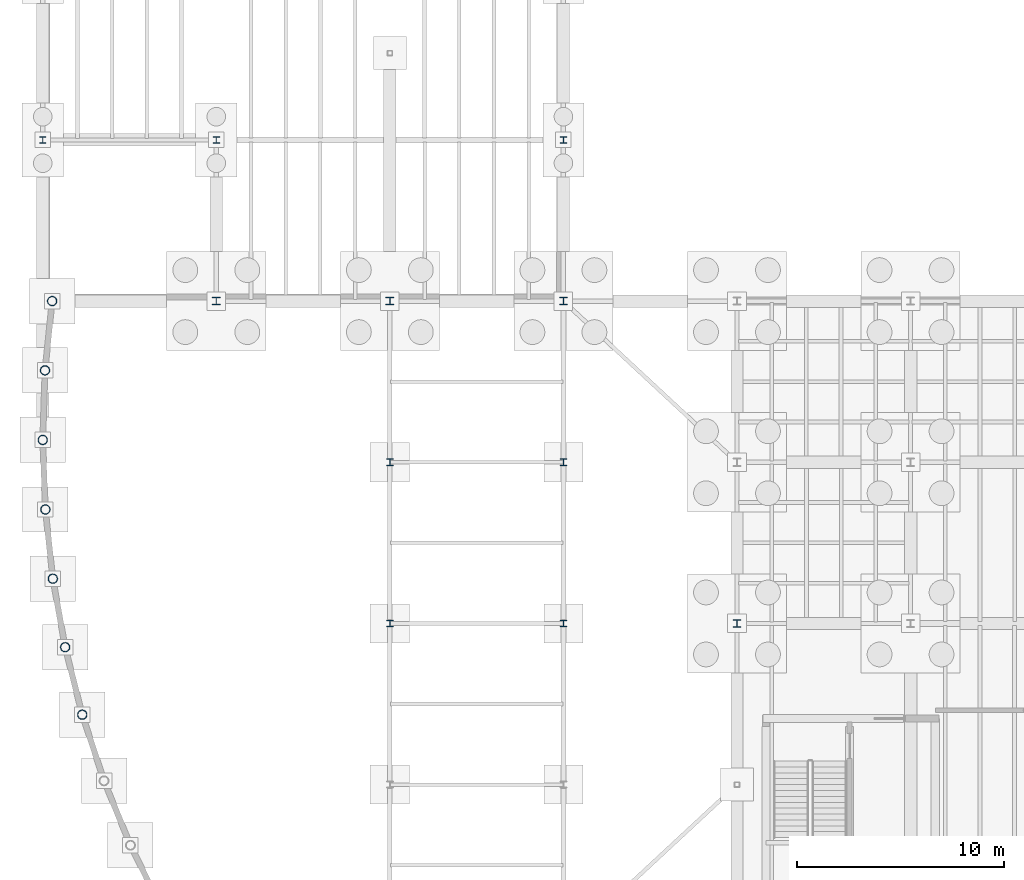
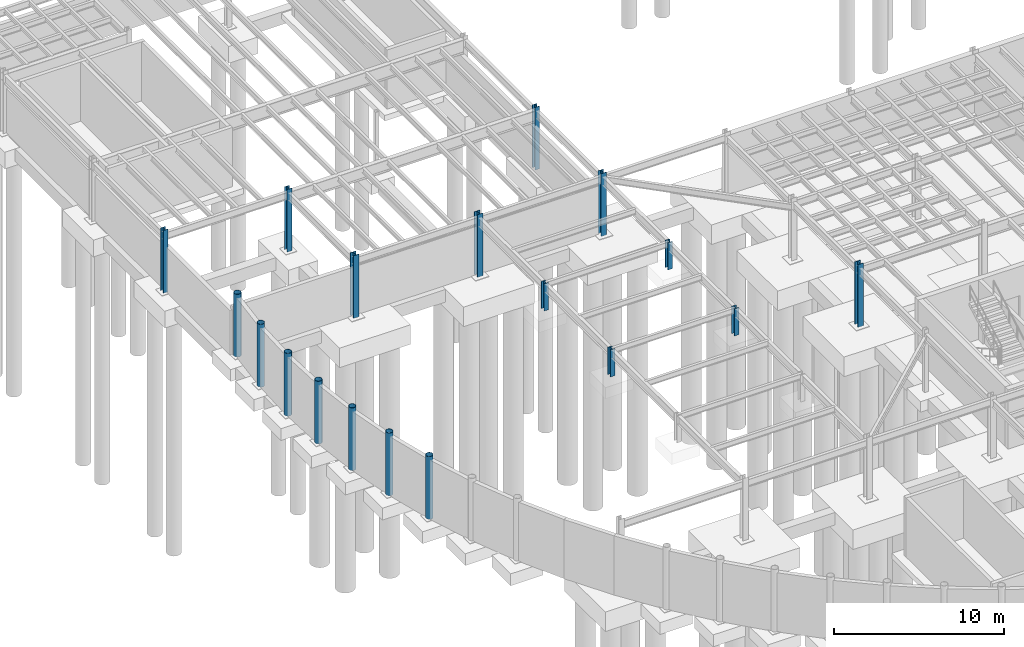
# One storey, part 9 of 41: 18 columns.
"""IFC4 building model written with IfcOpenShell, lengths in metres."""

from ifc_helpers import new_model, si_unit, direction, frame, origin, origin_2d, place, context, subcontext, project, spatial, hollow_circle, i_section, extrude, material, material_profile, profile_set, type_object, element, save


model = new_model("IFC4")

# Units and contexts
model_context = context("Model", 3, precision=1e-05, world=origin(), true_north=direction((0.0, 1.0)))
body_context = subcontext(model_context, "Body", "Model", "MODEL_VIEW")
ifc_project = project(units=[si_unit("LENGTHUNIT", "METRE"), si_unit("AREAUNIT", "SQUARE_METRE"), si_unit("VOLUMEUNIT", "CUBIC_METRE"), si_unit("PLANEANGLEUNIT", "RADIAN"), si_unit("MASSUNIT", "GRAM", prefix="KILO")], contexts=[model_context])

# Site, building, storey
site_placement = place(None, origin())
site = spatial("IfcSite", under=ifc_project, at=site_placement, CompositionType="ELEMENT")
building_placement = place(site_placement, origin())
building = spatial("IfcBuilding", under=site, at=building_placement, Name="Selat Folded Stagehouse", CompositionType="ELEMENT")
storey_placement = place(building_placement, frame((0.0, 0.0, -4.5)))
storey = spatial("IfcBuildingStorey", under=building, at=storey_placement, Name="B1", CompositionType="ELEMENT", Elevation=-4.5)

# Columns
ifc_material = material(Name="Steel S355", Category="steel")
ifc_material_profile_1 = material_profile(ifc_material, hollow_circle(Radius=0.228515625, WallThickness=0.02001953125, at=origin_2d()), Name="CHS 457.0x20.0")
ifc_profile_set_1 = profile_set([ifc_material_profile_1], Name="Steel S355")
column_type_1 = type_object("IfcColumnType", Name="COL-CHS-457x20", PredefinedType="COLUMN", material=ifc_profile_set_1)
for number, where, z_axis, x_axis, name in (
    (1, (0.455810546875, 54.60009765625, 0.0), (0.0, 0.0, 1.0), (1.0, 0.0, 0.0), "B1 column STK-DRM-00"),
    (2, (0.110107421875, 51.248779296875, 0.0), (0.0, 0.0, 1.0), (1.0, 0.0, 0.0), "B1 column STK-DRM-01"),
    (3, (0.0, 47.881591796875, 0.0), (0.0, 0.0, 1.0), (1.0, 0.0, 0.0), "B1 column STK-DRM-02"),
    (4, (0.126708984375, 44.514892578125, 0.0), (0.0, 0.0, 1.0), (1.0, 0.0, 0.0), "B1 column STK-DRM-03"),
    (5, (0.489013671875, 41.16552734375, 0.0), (0.0, 0.0, 1.0), (1.0, 0.0, 0.0), "B1 column STK-DRM-04"),
    (6, (1.08544921875, 37.849609375, 0.0), (0.0, 0.0, 1.0), (1.0, 0.0, 0.0), "B1 column STK-DRM-05"),
    (7, (1.9130859375, 34.583984375, 0.0), (0.0, 0.0, 1.0), (1.0, 0.0, 0.0), "B1 column STK-DRM-06"),
):
    element("IfcColumn", number, at=place(storey_placement, frame(where, z_axis=z_axis, x_axis=x_axis)), inside=storey, type_object=column_type_1, Name=name, PredefinedType="COLUMN", context=body_context, shape_type="SweptSolid", body=[
        extrude(hollow_circle(Radius=0.228515625, WallThickness=0.02001953125, at=origin_2d()), origin(), (0.0, 0.0, 1.0), 4.5),
    ])
ifc_material_profile_2 = material_profile(ifc_material, i_section(OverallWidth=0.30908203125, OverallDepth=0.320556640625, WebThickness=0.013916015625, FlangeThickness=0.021728515625, FilletRadius=0.01513671875, at=origin_2d()), Name="UKC 305x305x137")
ifc_profile_set_2 = profile_set([ifc_material_profile_2], Name="Steel S355")
column_type_2 = type_object("IfcColumnType", Name="COL-UKC-305x305x137", PredefinedType="COLUMN", material=ifc_profile_set_2)
for number, where, z_axis, x_axis, name in (
    (8, (16.800048828125, 39.0, 2.300048828125), (0.0, 0.0, 1.0), (1.0, 0.0, 0.0), "B1 V1 sub-tier column 168-390"),
    (9, (16.800048828125, 46.800048828125, 2.300048828125), (0.0, 0.0, 1.0), (1.0, 0.0, 0.0), "B1 V1 sub-tier column 168-468"),
    (10, (25.199951171875, 39.0, 2.300048828125), (0.0, 0.0, 1.0), (1.0, 0.0, 0.0), "B1 V1 sub-tier column 252-390"),
    (11, (25.199951171875, 46.800048828125, 2.300048828125), (0.0, 0.0, 1.0), (1.0, 0.0, 0.0), "B1 V1 sub-tier column 252-468"),
):
    element("IfcColumn", number, at=place(storey_placement, frame(where, z_axis=z_axis, x_axis=x_axis)), inside=storey, type_object=column_type_2, Name=name, PredefinedType="COLUMN", context=body_context, shape_type="SweptSolid", body=[
        extrude(i_section(OverallWidth=0.30908203125, OverallDepth=0.320556640625, WebThickness=0.013916015625, FlangeThickness=0.021728515625, FilletRadius=0.01513671875, at=origin_2d()), origin(), (0.0, 0.0, 1.0), 1.949951171875),
    ])
ifc_material_profile_3 = material_profile(ifc_material, i_section(OverallWidth=0.311279296875, OverallDepth=0.3271484375, WebThickness=0.015869140625, FlangeThickness=0.02490234375, FilletRadius=0.01513671875, at=origin_2d()), Name="UKC 305x305x158")
ifc_profile_set_3 = profile_set([ifc_material_profile_3], Name="Steel S355")
column_type_3 = type_object("IfcColumnType", Name="COL-UKC-305x305x158", PredefinedType="COLUMN", material=ifc_profile_set_3)
for number, where, z_axis, x_axis, name in (
    (12, (0.0, 62.39990234375, 0.0), (0.0, 0.0, 1.0), (1.0, 0.0, 0.0), "B1 column STK-V4-01"),
    (13, (8.39990234375, 62.39990234375, 0.0), (0.0, 0.0, 1.0), (1.0, 0.0, 0.0), "B1 column STK-V4-05"),
    (14, (25.199951171875, 62.39990234375, 0.0), (0.0, 0.0, 1.0), (1.0, 0.0, 0.0), "B1 column STK-V4-10"),
):
    element("IfcColumn", number, at=place(storey_placement, frame(where, z_axis=z_axis, x_axis=x_axis)), inside=storey, type_object=column_type_3, Name=name, PredefinedType="COLUMN", context=body_context, shape_type="SweptSolid", body=[
        extrude(i_section(OverallWidth=0.311279296875, OverallDepth=0.3271484375, WebThickness=0.015869140625, FlangeThickness=0.02490234375, FilletRadius=0.01513671875, at=origin_2d()), origin(), (0.0, 0.0, 1.0), 4.5),
    ])
ifc_material_profile_4 = material_profile(ifc_material, i_section(OverallWidth=0.374755859375, OverallDepth=0.37451171875, WebThickness=0.0166015625, FlangeThickness=0.027099609375, FilletRadius=0.01513671875, at=origin_2d()), Name="UKC 356x368x202")
ifc_profile_set_4 = profile_set([ifc_material_profile_4], Name="Steel S355")
column_type_4 = type_object("IfcColumnType", Name="COL-UKC-356x368x202", PredefinedType="COLUMN", material=ifc_profile_set_4)
for number, where, z_axis, x_axis, name in (
    (15, (8.39990234375, 54.60009765625, 0.0), (0.0, 0.0, 1.0), (1.0, 0.0, 0.0), "B1 column STK-V2-03"),
    (16, (16.800048828125, 54.60009765625, 0.0), (0.0, 0.0, 1.0), (1.0, 0.0, 0.0), "B1 column STK-V2-04"),
    (17, (25.199951171875, 54.60009765625, 0.0), (0.0, 0.0, 1.0), (1.0, 0.0, 0.0), "B1 column STK-V2-05"),
    (18, (33.60009765625, 39.0, 0.0), (0.0, 0.0, 1.0), (1.0, 0.0, 0.0), "B1 column STK-V2-08"),
):
    element("IfcColumn", number, at=place(storey_placement, frame(where, z_axis=z_axis, x_axis=x_axis)), inside=storey, type_object=column_type_4, Name=name, PredefinedType="COLUMN", context=body_context, shape_type="SweptSolid", body=[
        extrude(i_section(OverallWidth=0.374755859375, OverallDepth=0.37451171875, WebThickness=0.0166015625, FlangeThickness=0.027099609375, FilletRadius=0.01513671875, at=origin_2d()), origin(), (0.0, 0.0, 1.0), 4.5),
    ])

save(model, "model.ifc")
